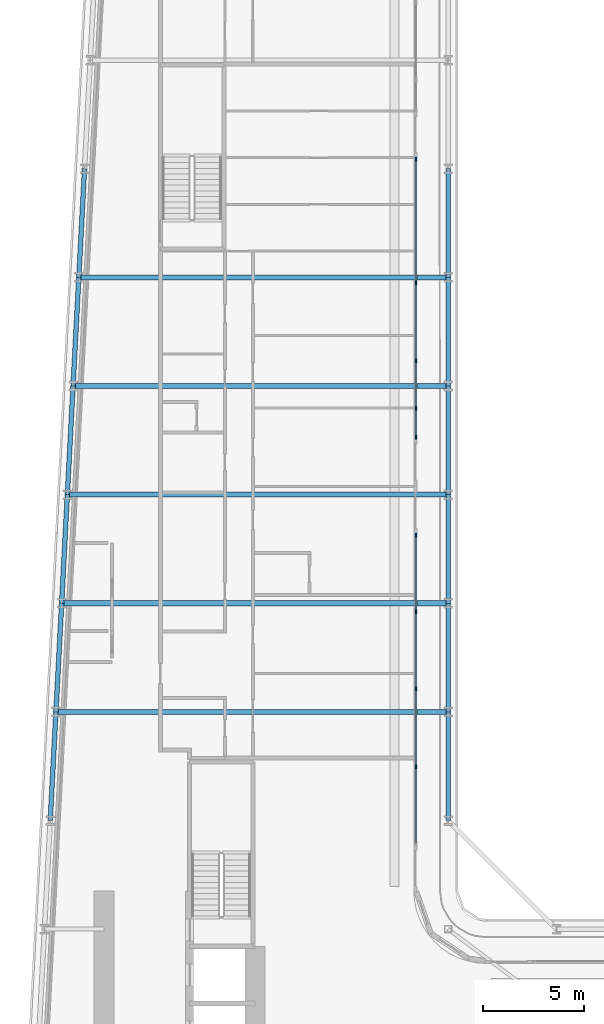
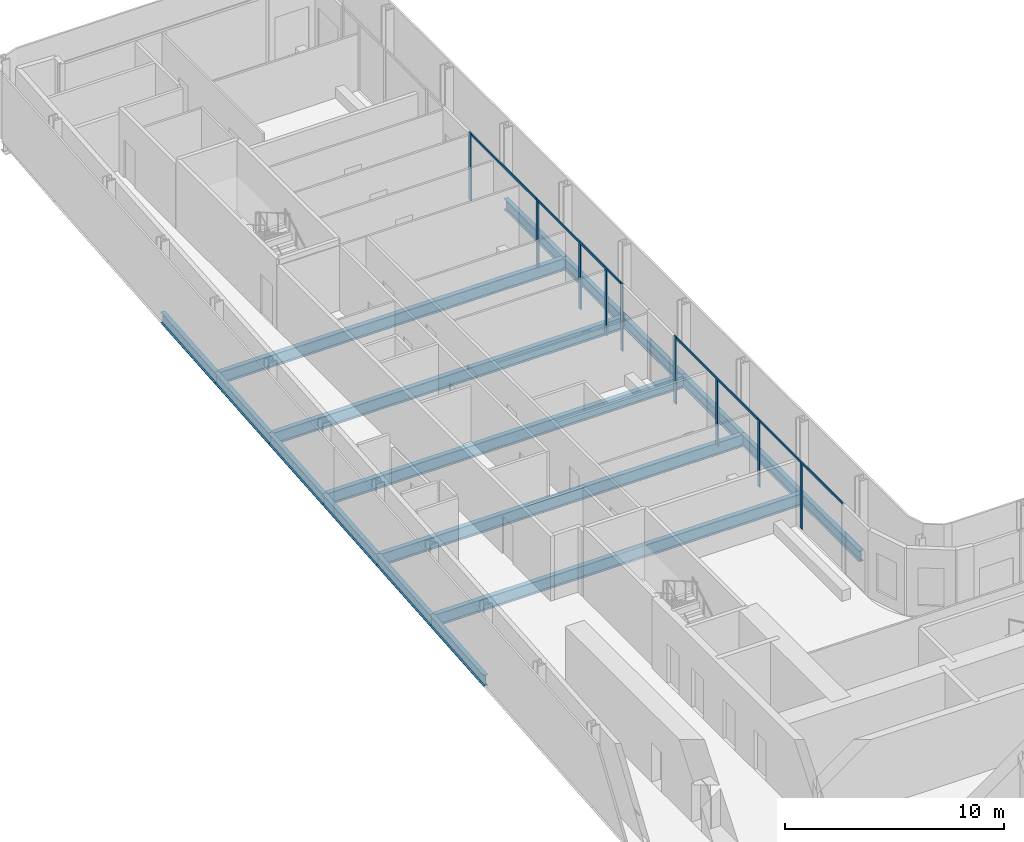
# One storey, part 7 of 29: 17 beams, 13 members, 4 elements without a shape of their own.
"""IFC4 building model written with IfcOpenShell, lengths in metres."""

from ifc_helpers import new_model, si_unit, direction, frame, origin, origin_2d, place, context, subcontext, project, spatial, rectangle, i_section, extrude, material, layer, layer_set, material_profile, profile_set, type_object, element, aggregate, save


model = new_model("IFC4")

# Units and contexts
model_context = context("Model", 3, precision=1e-05, world=origin(), true_north=direction((0.0, 1.0)))
body_context = subcontext(model_context, "Body", "Model", "MODEL_VIEW")
ifc_project = project(units=[si_unit("LENGTHUNIT", "METRE"), si_unit("AREAUNIT", "SQUARE_METRE"), si_unit("VOLUMEUNIT", "CUBIC_METRE"), si_unit("PLANEANGLEUNIT", "RADIAN"), si_unit("MASSUNIT", "GRAM", prefix="KILO")], contexts=[model_context])

# Site, building, storey
site_placement = place(None, origin())
site = spatial("IfcSite", under=ifc_project, at=site_placement, CompositionType="ELEMENT")
building_placement = place(site_placement, origin())
building = spatial("IfcBuilding", under=site, at=building_placement, Name="Kheshtan School and Residences Tower", CompositionType="ELEMENT")
storey_placement = place(building_placement, frame((0.0, 0.0, 61.699951171875)))
storey = spatial("IfcBuildingStorey", under=building, at=storey_placement, Name="L14", CompositionType="ELEMENT", Elevation=61.699951171875)

# Beams
ifc_material_1 = material(Name="Steel ASTM A992 Grade 50", Category="steel")
ifc_material_profile_1 = material_profile(ifc_material_1, i_section(OverallWidth=0.2529296875, OverallDepth=0.677978515625, WebThickness=0.01171875, FlangeThickness=0.016357421875, FilletRadius=0.0146484375, at=origin_2d()), Name="W690x125")
ifc_profile_set_1 = profile_set([ifc_material_profile_1], Name="Steel ASTM A992 Grade 50")
beam_type_1 = type_object("IfcBeamType", Name="Beam FB6 W690x125 ASTM A992 Grade 50", PredefinedType="BEAM", material=ifc_profile_set_1)
beam_1_placement = place(storey_placement, frame((47.60009765625, 72.60009765625, -0.489013671875), z_axis=(-1.0, 0.0, 0.0), x_axis=(0.0, -1.0, 0.0)))
element("IfcBeam", 1, at=beam_1_placement, inside=storey, type_object=beam_type_1, Name="Floor beam C087", PredefinedType="BEAM", context=body_context, shape_type="SweptSolid", body=[
    extrude(i_section(OverallWidth=0.2529296875, OverallDepth=0.677978515625, WebThickness=0.01171875, FlangeThickness=0.016357421875, FilletRadius=0.0146484375, at=origin_2d()), origin(), (0.0, 0.0, 1.0), 18.64208984375),
])
beam_2_placement = place(storey_placement, frame((47.60009765625, 61.800048828125, -0.489013671875), z_axis=(-1.0, 0.0, 0.0), x_axis=(0.0, -1.0, 0.0)))
element("IfcBeam", 2, at=beam_2_placement, inside=storey, type_object=beam_type_1, Name="Floor beam C083", PredefinedType="BEAM", context=body_context, shape_type="SweptSolid", body=[
    extrude(i_section(OverallWidth=0.2529296875, OverallDepth=0.677978515625, WebThickness=0.01171875, FlangeThickness=0.016357421875, FilletRadius=0.0146484375, at=origin_2d()), origin(), (0.0, 0.0, 1.0), 19.210205078125),
])
beam_3_placement = place(storey_placement, frame((28.10595703125, 56.39990234375, -0.489013671875), z_axis=(1.0, 0.0, 0.0), x_axis=(0.0, 1.0, 0.0)))
element("IfcBeam", 3, at=beam_3_placement, inside=storey, type_object=beam_type_1, Name="Floor beam C080", PredefinedType="BEAM", context=body_context, shape_type="SweptSolid", body=[
    extrude(i_section(OverallWidth=0.2529296875, OverallDepth=0.677978515625, WebThickness=0.01171875, FlangeThickness=0.016357421875, FilletRadius=0.0146484375, at=origin_2d()), origin(), (0.0, 0.0, 1.0), 19.494140625),
])
beam_4_placement = place(storey_placement, frame((28.674072265625, 67.199951171875, -0.489013671875), z_axis=(1.0, 0.0, 0.0), x_axis=(0.0, 1.0, 0.0)))
element("IfcBeam", 4, at=beam_4_placement, inside=storey, type_object=beam_type_1, Name="Floor beam C084", PredefinedType="BEAM", context=body_context, shape_type="SweptSolid", body=[
    extrude(i_section(OverallWidth=0.2529296875, OverallDepth=0.677978515625, WebThickness=0.01171875, FlangeThickness=0.016357421875, FilletRadius=0.0146484375, at=origin_2d()), origin(), (0.0, 0.0, 1.0), 18.926025390625),
])
beam_5_placement = place(storey_placement, frame((29.242919921875, 78.0, -0.489013671875), z_axis=(1.0, 0.0, 0.0), x_axis=(0.0, 1.0, 0.0)))
element("IfcBeam", 5, at=beam_5_placement, inside=storey, type_object=beam_type_1, Name="Floor beam C088", PredefinedType="BEAM", context=body_context, shape_type="SweptSolid", body=[
    extrude(i_section(OverallWidth=0.2529296875, OverallDepth=0.677978515625, WebThickness=0.01171875, FlangeThickness=0.016357421875, FilletRadius=0.0146484375, at=origin_2d()), origin(), (0.0, 0.0, 1.0), 18.357177734375),
])
ifc_material_profile_2 = material_profile(ifc_material_1, i_section(OverallWidth=0.22998046875, OverallDepth=0.616943359375, WebThickness=0.01318359375, FlangeThickness=0.022216796875, FilletRadius=0.0185546875, at=origin_2d()), Name="W610x140")
ifc_profile_set_2 = profile_set([ifc_material_profile_2], Name="Steel ASTM A992 Grade 50")
beam_type_2 = type_object("IfcBeamType", Name="Beam SP1 W610x140 ASTM A992 Grade 50", PredefinedType="BEAM", material=ifc_profile_set_2)
for number, where, z_axis, x_axis, name in (
    (6, (47.60009765625, 83.39990234375, -0.45849609375), (0.0, -1.0, 0.0), (1.0, 0.0, 0.0), "Spandrel beam C091-C089"),
    (7, (47.60009765625, 78.0, -0.45849609375), (0.0, -1.0, 0.0), (1.0, 0.0, 0.0), "Spandrel beam C089-C087"),
):
    element("IfcBeam", number, at=place(storey_placement, frame(where, z_axis=z_axis, x_axis=x_axis)), inside=storey, type_object=beam_type_2, Name=name, PredefinedType="BEAM", context=body_context, shape_type="SweptSolid", body=[
        extrude(i_section(OverallWidth=0.22998046875, OverallDepth=0.616943359375, WebThickness=0.01318359375, FlangeThickness=0.022216796875, FilletRadius=0.0185546875, at=origin_2d()), origin(), (0.0, 0.0, 1.0), 5.39990234375),
    ])
beam_6_placement = place(storey_placement, frame((47.60009765625, 72.60009765625, -0.45849609375), z_axis=(0.0, -1.0, 0.0), x_axis=(1.0, 0.0, 0.0)))
element("IfcBeam", 8, at=beam_6_placement, inside=storey, type_object=beam_type_2, Name="Spandrel beam C087-C085", PredefinedType="BEAM", context=body_context, shape_type="SweptSolid", body=[
    extrude(i_section(OverallWidth=0.22998046875, OverallDepth=0.616943359375, WebThickness=0.01318359375, FlangeThickness=0.022216796875, FilletRadius=0.0185546875, at=origin_2d()), origin(), (0.0, 0.0, 1.0), 5.400146484375),
])
beam_7_placement = place(storey_placement, frame((47.60009765625, 67.199951171875, -0.45849609375), z_axis=(0.0, -1.0, 0.0), x_axis=(1.0, 0.0, 0.0)))
element("IfcBeam", 9, at=beam_7_placement, inside=storey, type_object=beam_type_2, Name="Spandrel beam C085-C083", PredefinedType="BEAM", context=body_context, shape_type="SweptSolid", body=[
    extrude(i_section(OverallWidth=0.22998046875, OverallDepth=0.616943359375, WebThickness=0.01318359375, FlangeThickness=0.022216796875, FilletRadius=0.0185546875, at=origin_2d()), origin(), (0.0, 0.0, 1.0), 5.39990234375),
])
beam_8_placement = place(storey_placement, frame((47.60009765625, 61.800048828125, -0.45849609375), z_axis=(0.0, -1.0, 0.0), x_axis=(1.0, 0.0, 0.0)))
element("IfcBeam", 10, at=beam_8_placement, inside=storey, type_object=beam_type_2, Name="Spandrel beam C083-C081", PredefinedType="BEAM", context=body_context, shape_type="SweptSolid", body=[
    extrude(i_section(OverallWidth=0.22998046875, OverallDepth=0.616943359375, WebThickness=0.01318359375, FlangeThickness=0.022216796875, FilletRadius=0.0185546875, at=origin_2d()), origin(), (0.0, 0.0, 1.0), 5.400146484375),
])
beam_9_placement = place(storey_placement, frame((47.60009765625, 56.39990234375, -0.45849609375), z_axis=(0.0, -1.0, 0.0), x_axis=(1.0, 0.0, 0.0)))
element("IfcBeam", 11, at=beam_9_placement, inside=storey, type_object=beam_type_2, Name="Spandrel beam C081-C079", PredefinedType="BEAM", context=body_context, shape_type="SweptSolid", body=[
    extrude(i_section(OverallWidth=0.22998046875, OverallDepth=0.616943359375, WebThickness=0.01318359375, FlangeThickness=0.022216796875, FilletRadius=0.0185546875, at=origin_2d()), origin(), (0.0, 0.0, 1.0), 5.39990234375),
])
beam_10_placement = place(storey_placement, frame((27.822021484375, 51.0, -0.45849609375), z_axis=(0.05250906864, 0.998620447272, 0.0), x_axis=(-0.998620447272, 0.05250906864, 0.0)))
element("IfcBeam", 12, at=beam_10_placement, inside=storey, type_object=beam_type_2, Name="Spandrel beam C078-C080", PredefinedType="BEAM", context=body_context, shape_type="SweptSolid", body=[
    extrude(i_section(OverallWidth=0.22998046875, OverallDepth=0.616943359375, WebThickness=0.01318359375, FlangeThickness=0.022216796875, FilletRadius=0.0185546875, at=origin_2d()), origin(), (0.0, 0.0, 1.0), 5.407470703125),
])
beam_11_placement = place(storey_placement, frame((28.10595703125, 56.39990234375, -0.45849609375), z_axis=(0.05250670125, 0.998620571751, 0.0), x_axis=(-0.998620571751, 0.05250670125, 0.0)))
element("IfcBeam", 13, at=beam_11_placement, inside=storey, type_object=beam_type_2, Name="Spandrel beam C080-C082", PredefinedType="BEAM", context=body_context, shape_type="SweptSolid", body=[
    extrude(i_section(OverallWidth=0.22998046875, OverallDepth=0.616943359375, WebThickness=0.01318359375, FlangeThickness=0.022216796875, FilletRadius=0.0185546875, at=origin_2d()), origin(), (0.0, 0.0, 1.0), 5.40771484375),
])
beam_12_placement = place(storey_placement, frame((28.389892578125, 61.800048828125, -0.45849609375), z_axis=(0.052554093665, 0.998618078766, 0.0), x_axis=(-0.998618078766, 0.052554093665, 0.0)))
element("IfcBeam", 14, at=beam_12_placement, inside=storey, type_object=beam_type_2, Name="Spandrel beam C082-C084", PredefinedType="BEAM", context=body_context, shape_type="SweptSolid", body=[
    extrude(i_section(OverallWidth=0.22998046875, OverallDepth=0.616943359375, WebThickness=0.01318359375, FlangeThickness=0.022216796875, FilletRadius=0.0185546875, at=origin_2d()), origin(), (0.0, 0.0, 1.0), 5.407470703125),
])
beam_13_placement = place(storey_placement, frame((28.674072265625, 67.199951171875, -0.45849609375), z_axis=(0.05250670125, 0.998620571751, 0.0), x_axis=(-0.998620571751, 0.05250670125, 0.0)))
element("IfcBeam", 15, at=beam_13_placement, inside=storey, type_object=beam_type_2, Name="Spandrel beam C084-C086", PredefinedType="BEAM", context=body_context, shape_type="SweptSolid", body=[
    extrude(i_section(OverallWidth=0.22998046875, OverallDepth=0.616943359375, WebThickness=0.01318359375, FlangeThickness=0.022216796875, FilletRadius=0.0185546875, at=origin_2d()), origin(), (0.0, 0.0, 1.0), 5.40771484375),
])
for number, where, z_axis, x_axis, name in (
    (16, (28.9580078125, 72.60009765625, -0.45849609375), (0.052689166816, 0.998610961136, 0.0), (-0.998610961136, 0.052689166816, 0.0), "Spandrel beam C086-C088"),
    (17, (29.242919921875, 78.0, -0.45849609375), (0.052554093665, 0.998618078766, 0.0), (-0.998618078766, 0.052554093665, 0.0), "Spandrel beam C088-C090"),
):
    element("IfcBeam", number, at=place(storey_placement, frame(where, z_axis=z_axis, x_axis=x_axis)), inside=storey, type_object=beam_type_2, Name=name, PredefinedType="BEAM", context=body_context, shape_type="SweptSolid", body=[
        extrude(i_section(OverallWidth=0.22998046875, OverallDepth=0.616943359375, WebThickness=0.01318359375, FlangeThickness=0.022216796875, FilletRadius=0.0185546875, at=origin_2d()), origin(), (0.0, 0.0, 1.0), 5.407470703125),
    ])

# Curtain wall, members
ifc_material_2 = material(Name="Clear low-e glass in thermally broken aluminium frame", Category="aluminium")
ifc_layer = layer(ifc_material_2, 0.199951171875)
ifc_layer_set = layer_set([ifc_layer], Name="Curtain wall CW-L")
curtain_wall_type = type_object("IfcCurtainWallType", Name="Curtain wall CW-L", PredefinedType="NOTDEFINED", material=ifc_layer_set)
curtain_wall_1_placement = place(storey_placement, origin())
curtain_wall_1 = element("IfcCurtainWall", 18, at=curtain_wall_1_placement, inside=storey, type_object=curtain_wall_type, Name="Curtain wall CWL8d", PredefinedType="NOTDEFINED")
ifc_material_3 = material(Name="Thermally broken aluminium, dark bronze anodised", Category="aluminium")
ifc_material_profile_3 = material_profile(ifc_material_3, rectangle(XDim=0.06005859375, YDim=0.199951171875, at=origin_2d()), Name="CW-L mullion 60x200")
ifc_profile_set_3 = profile_set([ifc_material_profile_3], Name="Thermally broken aluminium, dark bronze anodised")
member_type_1 = type_object("IfcMemberType", Name="CW-L mullion 60x200", PredefinedType="MULLION", material=ifc_profile_set_3)
member_1_placement = place(storey_placement, frame((46.0, 83.8759765625, 0.0), z_axis=(0.0, 0.0, 1.0), x_axis=(1.0, 0.0, 0.0)))
member_1 = element("IfcMember", 19, at=member_1_placement, type_object=member_type_1, Name="CWL8d mullion 1", PredefinedType="MULLION", context=body_context, shape_type="SweptSolid", body=[
    extrude(rectangle(XDim=0.06005859375, YDim=0.199951171875, at=origin_2d()), origin(), (0.0, 0.0, 1.0), 3.75),
])
member_2_placement = place(storey_placement, frame((46.0, 77.741943359375, 0.0), z_axis=(0.0, 0.0, 1.0), x_axis=(1.0, 0.0, 0.0)))
member_2 = element("IfcMember", 20, at=member_2_placement, type_object=member_type_1, Name="CWL8d mullion 2", PredefinedType="MULLION", context=body_context, shape_type="SweptSolid", body=[
    extrude(rectangle(XDim=0.06005859375, YDim=0.199951171875, at=origin_2d()), origin(), (0.0, 0.0, 1.0), 3.75),
])

curtain_wall_2_placement = place(storey_placement, origin())
curtain_wall_2 = element("IfcCurtainWall", 21, at=curtain_wall_2_placement, inside=storey, type_object=curtain_wall_type, Name="Curtain wall CWL8c", PredefinedType="NOTDEFINED")
member_3_placement = place(storey_placement, frame((46.0, 73.864990234375, 0.0), z_axis=(0.0, 0.0, 1.0), x_axis=(1.0, 0.0, 0.0)))
member_3 = element("IfcMember", 22, at=member_3_placement, type_object=member_type_1, Name="CWL8c mullion 2", PredefinedType="MULLION", context=body_context, shape_type="SweptSolid", body=[
    extrude(rectangle(XDim=0.06005859375, YDim=0.199951171875, at=origin_2d()), origin(), (0.0, 0.0, 1.0), 3.630126953125),
])
member_4_placement = place(storey_placement, frame((46.0, 71.5, 0.0), z_axis=(0.0, 0.0, 1.0), x_axis=(1.0, 0.0, 0.0)))
member_4 = element("IfcMember", 23, at=member_4_placement, type_object=member_type_1, Name="CWL8c mullion 3", PredefinedType="MULLION", context=body_context, shape_type="SweptSolid", body=[
    extrude(rectangle(XDim=0.06005859375, YDim=0.199951171875, at=origin_2d()), origin(), (0.0, 0.0, 1.0), 3.630126953125),
])
member_5_placement = place(storey_placement, frame((46.0, 70.048095703125, 0.0), z_axis=(0.0, 0.0, 1.0), x_axis=(1.0, 0.0, 0.0)))
member_5 = element("IfcMember", 24, at=member_5_placement, type_object=member_type_1, Name="CWL8c mullion 4", PredefinedType="MULLION", context=body_context, shape_type="SweptSolid", body=[
    extrude(rectangle(XDim=0.06005859375, YDim=0.199951171875, at=origin_2d()), origin(), (0.0, 0.0, 1.0), 3.75),
])

curtain_wall_3_placement = place(storey_placement, origin())
curtain_wall_3 = element("IfcCurtainWall", 25, at=curtain_wall_3_placement, inside=storey, type_object=curtain_wall_type, Name="Curtain wall CWL8", PredefinedType="NOTDEFINED")
member_6_placement = place(storey_placement, frame((46.0, 65.18798828125, 0.0), z_axis=(0.0, 0.0, 1.0), x_axis=(1.0, 0.0, 0.0)))
member_6 = element("IfcMember", 26, at=member_6_placement, type_object=member_type_1, Name="CWL8 mullion 1", PredefinedType="MULLION", context=body_context, shape_type="SweptSolid", body=[
    extrude(rectangle(XDim=0.06005859375, YDim=0.199951171875, at=origin_2d()), origin(), (0.0, 0.0, 1.0), 3.75),
])
member_7_placement = place(storey_placement, frame((46.0, 61.37109375, 0.0), z_axis=(0.0, 0.0, 1.0), x_axis=(1.0, 0.0, 0.0)))
member_7 = element("IfcMember", 27, at=member_7_placement, type_object=member_type_1, Name="CWL8 mullion 2", PredefinedType="MULLION", context=body_context, shape_type="SweptSolid", body=[
    extrude(rectangle(XDim=0.06005859375, YDim=0.199951171875, at=origin_2d()), origin(), (0.0, 0.0, 1.0), 3.630126953125),
])
member_8_placement = place(storey_placement, frame((46.0, 57.553955078125, 0.0), z_axis=(0.0, 0.0, 1.0), x_axis=(1.0, 0.0, 0.0)))
member_8 = element("IfcMember", 28, at=member_8_placement, type_object=member_type_1, Name="CWL8 mullion 3", PredefinedType="MULLION", context=body_context, shape_type="SweptSolid", body=[
    extrude(rectangle(XDim=0.06005859375, YDim=0.199951171875, at=origin_2d()), origin(), (0.0, 0.0, 1.0), 3.75),
])

# Curtain wall, member
curtain_wall_4_placement = place(storey_placement, origin())
curtain_wall_4 = element("IfcCurtainWall", 29, at=curtain_wall_4_placement, inside=storey, type_object=curtain_wall_type, Name="Curtain wall CWL8", PredefinedType="NOTDEFINED")
member_9_placement = place(storey_placement, frame((46.0, 53.677001953125, 0.0), z_axis=(0.0, 0.0, 1.0), x_axis=(1.0, 0.0, 0.0)))
member_9 = element("IfcMember", 30, at=member_9_placement, type_object=member_type_1, Name="CWL8 mullion 2", PredefinedType="MULLION", context=body_context, shape_type="SweptSolid", body=[
    extrude(rectangle(XDim=0.06005859375, YDim=0.199951171875, at=origin_2d()), origin(), (0.0, 0.0, 1.0), 3.630126953125),
])

# Member
ifc_material_profile_4 = material_profile(ifc_material_3, rectangle(XDim=0.06005859375, YDim=0.1201171875, at=origin_2d()), Name="CW-L transom 60x120")
ifc_profile_set_4 = profile_set([ifc_material_profile_4], Name="Thermally broken aluminium, dark bronze anodised")
member_type_2 = type_object("IfcMemberType", Name="CW-L transom 60x120", PredefinedType="USERDEFINED", material=ifc_profile_set_4)
member_10_placement = place(storey_placement, frame((46.0, 83.845947265625, 3.68994140625), z_axis=(0.0, -1.0, 0.0), x_axis=(1.0, 0.0, 0.0)))
member_10 = element("IfcMember", 31, at=member_10_placement, type_object=member_type_2, Name="CWL8d transom 1", ObjectType="TRANSOM", PredefinedType="USERDEFINED", context=body_context, shape_type="SweptSolid", body=[
    extrude(rectangle(XDim=0.06005859375, YDim=0.1201171875, at=origin_2d()), origin(), (0.0, 0.0, 1.0), 6.073974609375),
])

aggregate(curtain_wall_1, [member_1, member_2, member_10])

member_11_placement = place(storey_placement, frame((46.0, 77.7119140625, 3.68994140625), z_axis=(0.0, -1.0, 0.0), x_axis=(1.0, 0.0, 0.0)))
member_11 = element("IfcMember", 32, at=member_11_placement, type_object=member_type_2, Name="CWL8c transom 1", ObjectType="TRANSOM", PredefinedType="USERDEFINED", context=body_context, shape_type="SweptSolid", body=[
    extrude(rectangle(XDim=0.06005859375, YDim=0.1201171875, at=origin_2d()), origin(), (0.0, 0.0, 1.0), 7.634033203125),
])

aggregate(curtain_wall_2, [member_3, member_4, member_5, member_11])

member_12_placement = place(storey_placement, frame((46.0, 65.157958984375, 3.68994140625), z_axis=(0.0, -1.0, 0.0), x_axis=(1.0, 0.0, 0.0)))
member_12 = element("IfcMember", 33, at=member_12_placement, type_object=member_type_2, Name="CWL8 transom 1", ObjectType="TRANSOM", PredefinedType="USERDEFINED", context=body_context, shape_type="SweptSolid", body=[
    extrude(rectangle(XDim=0.06005859375, YDim=0.1201171875, at=origin_2d()), origin(), (0.0, 0.0, 1.0), 7.573974609375),
])

aggregate(curtain_wall_3, [member_6, member_7, member_8, member_12])

member_13_placement = place(storey_placement, frame((46.0, 57.52392578125, 3.68994140625), z_axis=(0.0, -1.0, 0.0), x_axis=(1.0, 0.0, 0.0)))
member_13 = element("IfcMember", 34, at=member_13_placement, type_object=member_type_2, Name="CWL8 transom 1", ObjectType="TRANSOM", PredefinedType="USERDEFINED", context=body_context, shape_type="SweptSolid", body=[
    extrude(rectangle(XDim=0.06005859375, YDim=0.1201171875, at=origin_2d()), origin(), (0.0, 0.0, 1.0), 7.634033203125),
])

aggregate(curtain_wall_4, [member_9, member_13])

save(model, "model.ifc")
